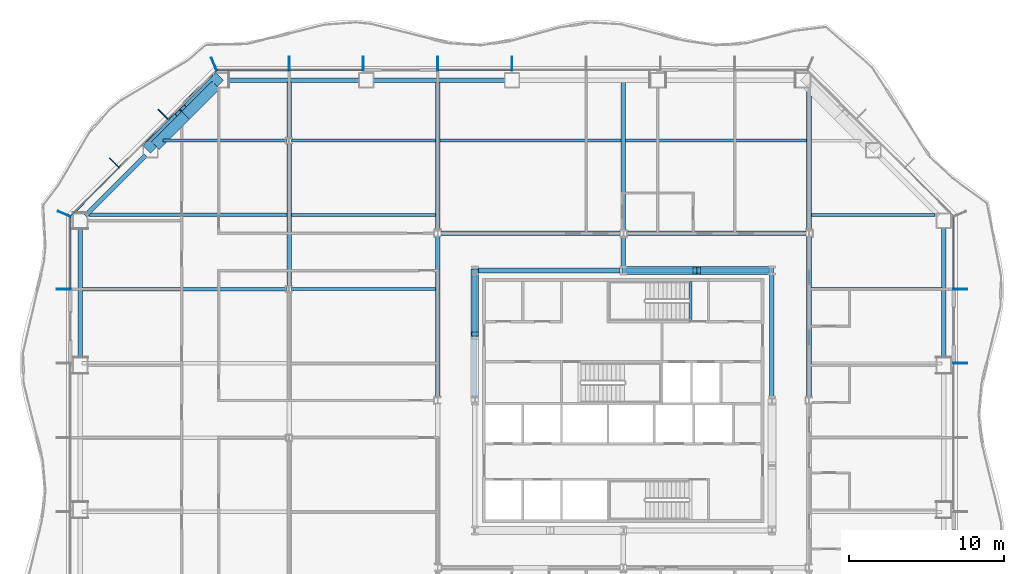
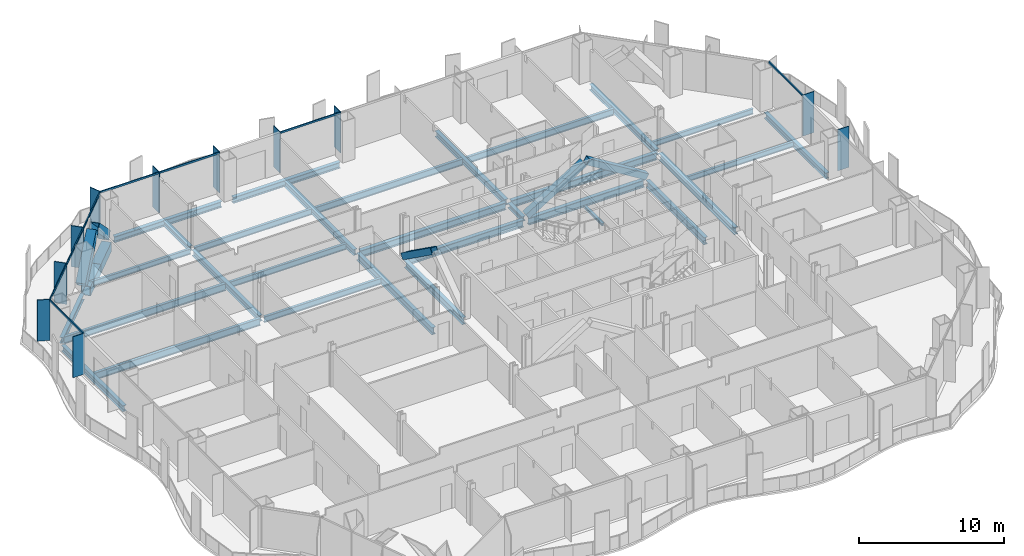
# One storey, part 3 of 21: 32 beams, 24 members, 4 elements without a shape of their own.
"""IFC4 building model written with IfcOpenShell, lengths in metres."""

import ifcopenshell
import ifcopenshell.guid

model = None  # the IFC model being written
_history = None  # IfcOwnerHistory: only IFC2X3 demands one
_inside = {}  # id of a spatial element -> (the spatial element, [elements in it])
_under = {}  # id of a project, library or spatial element -> (it, [spatial elements below it])
_declared = {}  # id of a project -> (the project, [libraries it declares])
_typed = {}  # id of a type object -> (the type object, [elements of that type])
_made_of = {}  # id of a material, layer set ... -> (it, [elements and type objects made of it])


def new_model(schema):
    """Start an empty IFC model of exactly this schema.

    Asked for "IFC4X3", IfcOpenShell would pick the latest addendum, in which some entities
    have other attributes; the version numbers below select the first issue.
    IFC2X3 requires an IfcOwnerHistory on every rooted entity: one is made here for all.
    """
    global model, _history
    if schema == "IFC4X3":
        model = ifcopenshell.file(schema_version=(4, 3, 0, 0))
    else:
        model = ifcopenshell.file(schema=schema)
    _inside.clear()
    _under.clear()
    _declared.clear()
    _typed.clear()
    _made_of.clear()
    _history = None
    if model.schema == "IFC2X3":
        org = make("IfcOrganization", Name="unknown")
        user = make(
            "IfcPersonAndOrganization",
            ThePerson=make("IfcPerson", FamilyName="unknown"),
            TheOrganization=org,
        )
        app = make(
            "IfcApplication",
            ApplicationDeveloper=org,
            Version="unknown",
            ApplicationFullName="unknown",
            ApplicationIdentifier="unknown",
        )
        _history = make(
            "IfcOwnerHistory",
            OwningUser=user,
            OwningApplication=app,
            ChangeAction="ADDED",
            CreationDate=0,
        )
    return model


def make(cls, **values):
    """One entity of the class cls with the attributes given. An attribute that is None is left unset."""
    return model.create_entity(
        cls, **{name: value for name, value in values.items() if value is not None}
    )


def rooted(cls, **values):
    """An entity with a GlobalId (a new one), such as an element, a storey or a relation."""
    return make(cls, GlobalId=ifcopenshell.guid.new(), OwnerHistory=_history, **values)


def si_unit(unit_type, name, prefix=None):
    """IfcSIUnit, for example si_unit("LENGTHUNIT", "METRE", prefix="MILLI")."""
    return make("IfcSIUnit", UnitType=unit_type, Prefix=prefix, Name=name)


def assignment(units):
    """IfcUnitAssignment: the units of a project."""
    return None if units is None else make("IfcUnitAssignment", Units=units)


def point(xyz):
    """IfcCartesianPoint."""
    return None if xyz is None else make("IfcCartesianPoint", Coordinates=xyz)


def direction(xyz):
    """IfcDirection."""
    return None if xyz is None else make("IfcDirection", DirectionRatios=xyz)


def frame(location, z_axis=None, x_axis=None):
    """IfcAxis2Placement3D, a coordinate frame: its origin and axes. An axis left out is left unset."""
    return make(
        "IfcAxis2Placement3D",
        Location=point(location),
        Axis=direction(z_axis),
        RefDirection=direction(x_axis),
    )


def frame_2d(location, x_axis=None):
    """IfcAxis2Placement2D, a coordinate frame in the plane: its origin and x axis."""
    return make(
        "IfcAxis2Placement2D", Location=point(location), RefDirection=direction(x_axis)
    )


def origin():
    """The frame at (0, 0, 0) with its axes left unset."""
    return frame((0.0, 0.0, 0.0))


def origin_2d():
    """The frame at (0, 0) in the plane with its x axis left unset."""
    return frame_2d((0.0, 0.0))


def place(relative_to, where):
    """IfcLocalPlacement: puts the frame where relative to a parent placement (None: the world)."""
    return make(
        "IfcLocalPlacement", PlacementRelTo=relative_to, RelativePlacement=where
    )


def context(
    kind, dimensions, precision=None, world=None, true_north=None, identifier=None
):
    """IfcGeometricRepresentationContext, for example the 3D "Model" context."""
    return make(
        "IfcGeometricRepresentationContext",
        ContextIdentifier=identifier,
        ContextType=kind,
        CoordinateSpaceDimension=dimensions,
        Precision=precision,
        WorldCoordinateSystem=world,
        TrueNorth=true_north,
    )


def subcontext(parent, identifier, kind, view, scale=None):
    """IfcGeometricRepresentationSubContext, for example "Body" below "Model"."""
    return make(
        "IfcGeometricRepresentationSubContext",
        ContextIdentifier=identifier,
        ContextType=kind,
        ParentContext=parent,
        TargetScale=scale,
        TargetView=view,
    )


def project(units=None, contexts=None):
    """IfcProject with its units and contexts."""
    return rooted(
        "IfcProject",
        Name="project",
        RepresentationContexts=contexts,
        UnitsInContext=assignment(units),
    )


def spatial(cls, under=None, at=None, **own):
    """A site, building, storey or space (cls), placed at a placement, below another one or the project."""
    s = rooted(cls, ObjectPlacement=at, **own)
    if under is not None:
        _under.setdefault(under.id(), (under, []))[1].append(s)
    return s


def profile(cls, at=None, kind="AREA", **sizes):
    """A parametric profile (cls). Its sizes go by their IFC names, for example OverallWidth=200.0."""
    return make(cls, ProfileType=kind, Position=at, **sizes)


def rectangle(**sizes):
    """IfcRectangleProfileDef."""
    return profile("IfcRectangleProfileDef", **sizes)


def hollow_rectangle(**sizes):
    """IfcRectangleHollowProfileDef."""
    return profile("IfcRectangleHollowProfileDef", **sizes)


def i_section(**sizes):
    """IfcIShapeProfileDef."""
    return profile("IfcIShapeProfileDef", **sizes)


def extrude(swept, where, along, depth):
    """IfcExtrudedAreaSolid: the profile swept, set in the frame where, extruded along a direction by depth."""
    return make(
        "IfcExtrudedAreaSolid",
        SweptArea=swept,
        Position=where,
        ExtrudedDirection=direction(along),
        Depth=depth,
    )


def shape(context_of_items, identifier, shape_type, items):
    """IfcShapeRepresentation: the items that make up one representation, for example the "Body"."""
    return make(
        "IfcShapeRepresentation",
        ContextOfItems=context_of_items,
        RepresentationIdentifier=identifier,
        RepresentationType=shape_type,
        Items=items,
    )


def material(Name=None, Category=None):
    """IfcMaterial."""
    return make("IfcMaterial", Name=Name, Category=Category)


def material_profile(
    of_material, cross_section, Name=None, Category=None, Priority=None
):
    """IfcMaterialProfile: a cross section and its material."""
    return make(
        "IfcMaterialProfile",
        Name=Name,
        Material=of_material,
        Profile=cross_section,
        Priority=Priority,
        Category=Category,
    )


def profile_set(profiles, Name=None, composite=None):
    """IfcMaterialProfileSet."""
    return make(
        "IfcMaterialProfileSet",
        Name=Name,
        MaterialProfiles=profiles,
        CompositeProfile=composite,
    )


def made_of(thing, what):
    """Note that an element or type object is made of a material, layer set ...; save() writes the relation."""
    if what is not None:
        _made_of.setdefault(what.id(), (what, []))[1].append(thing)
    return thing


def type_object(cls, material=None, **own):
    """A type object (cls), such as IfcWallType, which elements share."""
    return made_of(rooted(cls, **own), material)


def element(
    cls,
    number,
    at=None,
    inside=None,
    cuts=None,
    type_object=None,
    material=None,
    context=None,
    identifier="Body",
    shape_type=None,
    held_by="IfcProductDefinitionShape",
    body=None,
    shapes=None,
    **own,
):
    """One element of the class cls, such as IfcWall. Its Tag is "e" and its number.

    at: its placement. inside: the storey or other place that contains it. cuts: it is an
    opening in that element (IfcRelVoidsElement). A single representation is given by context,
    identifier, shape_type and body (its items); several are given by shapes. held_by: the class
    of the entity that holds the representations. save() writes the other relations.
    """
    e = rooted(cls, Tag="e%d" % number, ObjectPlacement=at, **own)
    if body is not None:
        shapes = [shape(context, identifier, shape_type, body)]
    if shapes is not None:
        e.Representation = make(held_by, Representations=shapes)
    if inside is not None:
        _inside.setdefault(inside.id(), (inside, []))[1].append(e)
    if cuts is not None:
        rooted(
            "IfcRelVoidsElement", RelatingBuildingElement=cuts, RelatedOpeningElement=e
        )
    if type_object is not None:
        _typed.setdefault(type_object.id(), (type_object, []))[1].append(e)
    return made_of(e, material)


def aggregate(whole, parts):
    """IfcRelAggregates: a whole, such as a stair, and the parts it consists of."""
    return rooted("IfcRelAggregates", RelatingObject=whole, RelatedObjects=parts)


def save(model, path):
    """Write the relations noted so far, then the file.

    IfcRelAggregates (storeys below a building ...), IfcRelContainedInSpatialStructure (elements
    in a storey), IfcRelDefinesByType, IfcRelAssociatesMaterial and IfcRelDeclares: one each for
    every whole, place, type object, material and project.
    """
    for whole, parts in _under.values():
        aggregate(whole, parts)
    for where, things in _inside.values():
        rooted(
            "IfcRelContainedInSpatialStructure",
            RelatedElements=things,
            RelatingStructure=where,
        )
    for kind, things in _typed.values():
        rooted("IfcRelDefinesByType", RelatedObjects=things, RelatingType=kind)
    for what, things in _made_of.values():
        rooted("IfcRelAssociatesMaterial", RelatedObjects=things, RelatingMaterial=what)
    for by, libraries in _declared.values():
        rooted("IfcRelDeclares", RelatingContext=by, RelatedDefinitions=libraries)
    model.write(path)


model = new_model("IFC4")

# Units and contexts
model_context = context("Model", 3, precision=1e-05, world=origin(), true_north=direction((0.0, 1.0)))
body_context = subcontext(model_context, "Body", "Model", "MODEL_VIEW")
ifc_project = project(units=[si_unit("LENGTHUNIT", "METRE"), si_unit("AREAUNIT", "SQUARE_METRE"), si_unit("VOLUMEUNIT", "CUBIC_METRE"), si_unit("PLANEANGLEUNIT", "RADIAN"), si_unit("MASSUNIT", "GRAM", prefix="KILO")], contexts=[model_context])

# Site, building, storey
site_placement = place(None, origin())
site = spatial("IfcSite", under=ifc_project, at=site_placement, CompositionType="ELEMENT")
building_placement = place(site_placement, origin())
building = spatial("IfcBuilding", under=site, at=building_placement, Name="Cairn Pilgrim Tower", CompositionType="ELEMENT")
storey_placement = place(building_placement, frame((0.0, 0.0, 58.199951171875)))
storey = spatial("IfcBuildingStorey", under=building, at=storey_placement, Name="L12", CompositionType="ELEMENT", Elevation=58.199951171875)

# Members
ifc_material_1 = material(Name="Structural steel S460M", Category="steel")
ifc_material_profile_1 = material_profile(ifc_material_1, hollow_rectangle(XDim=0.5, YDim=0.5, WallThickness=0.030029296875, at=origin_2d()), Name="BOX 500x500x30")
ifc_profile_set_1 = profile_set([ifc_material_profile_1], Name="Structural steel S460M")
member_type_1 = type_object("IfcMemberType", Name="BOX 500x500x30 BRACE", PredefinedType="BRACE", material=ifc_profile_set_1)
member_1_placement = place(storey_placement, frame((16.754638671875, 10.800048828125, 0.10009765625), z_axis=(-0.850917090612, 0.0, 0.525300014187), x_axis=(0.0, -1.0, 0.0)))
element("IfcMember", 1, at=member_1_placement, inside=storey, type_object=member_type_1, Name="KB-3A", PredefinedType="BRACE", context=body_context, shape_type="SweptSolid", body=[
    extrude(hollow_rectangle(XDim=0.5, YDim=0.5, WallThickness=0.030029296875, at=origin_2d()), origin(), (0.0, 0.0, 1.0), 5.525146484375),
])
member_2_placement = place(storey_placement, frame((7.245361328125, 10.800048828125, 0.10009765625), z_axis=(0.850919818074, 0.0, 0.52529559603), x_axis=(0.0, 1.0, 0.0)))
element("IfcMember", 2, at=member_2_placement, inside=storey, type_object=member_type_1, Name="KB-3B", PredefinedType="BRACE", context=body_context, shape_type="SweptSolid", body=[
    extrude(hollow_rectangle(XDim=0.5, YDim=0.5, WallThickness=0.030029296875, at=origin_2d()), origin(), (0.0, 0.0, 1.0), 5.375),
])
member_3_placement = place(storey_placement, frame((-2.39990234375, 10.754638671875, 0.10009765625), z_axis=(0.0, -0.814083383497, 0.580748004486), x_axis=(1.0, 0.0, 0.0)))
element("IfcMember", 3, at=member_3_placement, inside=storey, type_object=member_type_1, Name="KB-4A", PredefinedType="BRACE", context=body_context, shape_type="SweptSolid", body=[
    extrude(hollow_rectangle(XDim=0.5, YDim=0.5, WallThickness=0.030029296875, at=origin_2d()), origin(), (0.0, 0.0, 1.0), 4.9951171875),
])
ifc_material_profile_2 = material_profile(ifc_material_1, hollow_rectangle(XDim=0.699951171875, YDim=0.699951171875, WallThickness=0.0400390625, at=origin_2d()), Name="BOX 700x700x40")
ifc_profile_set_2 = profile_set([ifc_material_profile_2], Name="Structural steel S460M")
member_type_2 = type_object("IfcMemberType", Name="BOX 700x700x40 BRACE", PredefinedType="BRACE", material=ifc_profile_set_2)
member_4_placement = place(storey_placement, frame((-19.0498046875, 23.181396484375, 0.150146484375), z_axis=(-0.528118110354, -0.528118110354, 0.664968061663), x_axis=(0.707106781187, -0.707106781187, 0.0)))
element("IfcMember", 4, at=member_4_placement, inside=storey, type_object=member_type_2, Name="XB-NW1-NW2-1", PredefinedType="BRACE", context=body_context, shape_type="SweptSolid", body=[
    extrude(hollow_rectangle(XDim=0.699951171875, YDim=0.699951171875, WallThickness=0.0400390625, at=origin_2d()), origin(), (0.0, 0.0, 1.0), 3.89990234375),
])
member_5_placement = place(storey_placement, frame((-23.44482421875, 18.786376953125, 0.150146484375), z_axis=(0.528090425698, 0.528090425698, 0.665012033404), x_axis=(-0.707106781187, 0.707106781187, 0.0)))
element("IfcMember", 5, at=member_5_placement, inside=storey, type_object=member_type_2, Name="XB-NW1-NW2-2", PredefinedType="BRACE", context=body_context, shape_type="SweptSolid", body=[
    extrude(hollow_rectangle(XDim=0.699951171875, YDim=0.699951171875, WallThickness=0.0400390625, at=origin_2d()), origin(), (0.0, 0.0, 1.0), 3.899658203125),
])

# Beams
ifc_material_2 = material(Name="Structural steel S355J2", Category="steel")
ifc_material_profile_3 = material_profile(ifc_material_2, hollow_rectangle(XDim=0.699951171875, YDim=0.800048828125, WallThickness=0.0400390625, at=origin_2d()), Name="BOX 700x800x40")
ifc_profile_set_3 = profile_set([ifc_material_profile_3], Name="Structural steel S355J2")
beam_type_1 = type_object("IfcBeamType", Name="BOX 700x800x40 RING GIRDER", PredefinedType="SPANDREL", material=ifc_profile_set_3)
for number, where, z_axis, x_axis, name in (
    (6, (-19.1455078125, 22.78173828125, -0.550048828125), (-0.707106781187, -0.707106781187, 0.0), (0.707106781187, -0.707106781187, 0.0), "RG1-NW1-NW2-1"),
    (7, (-21.095458984375, 20.831787109375, -0.550048828125), (-0.707106781187, -0.707106781187, 0.0), (0.707106781187, -0.707106781187, 0.0), "RG1-NW1-NW2-2"),
):
    element("IfcBeam", number, at=place(storey_placement, frame(where, z_axis=z_axis, x_axis=x_axis)), inside=storey, type_object=beam_type_1, Name=name, PredefinedType="SPANDREL", context=body_context, shape_type="SweptSolid", body=[
        extrude(hollow_rectangle(XDim=0.699951171875, YDim=0.800048828125, WallThickness=0.0400390625, at=origin_2d()), origin(), (0.0, 0.0, 1.0), 2.757568359375),
    ])

# Curtain wall, members
ifc_material_3 = material(Name="Aluminium alloy 6063-T6 bronze anodised with Bronze tinted laminated low-E glass 8+16+8.8", Category="aluminium")
curtain_wall_type_1 = type_object("IfcCurtainWallType", Name="TOWER STICK CURTAIN WALL EW", PredefinedType="NOTDEFINED", material=ifc_material_3)
curtain_wall_1_placement = place(storey_placement, origin())
curtain_wall_1 = element("IfcCurtainWall", 8, at=curtain_wall_1_placement, inside=storey, type_object=curtain_wall_type_1, Name="Tower Stick Curtain Wall Ew E", PredefinedType="NOTDEFINED")
ifc_material_4 = material(Name="Aluminium alloy 6063-T6 bronze anodised", Category="aluminium")
ifc_material_profile_4 = material_profile(ifc_material_4, rectangle(XDim=0.89990234375, YDim=0.06005859375, at=origin_2d()), Name="FIN MULLION 60x900 BRONZE")
ifc_profile_set_4 = profile_set([ifc_material_profile_4], Name="Aluminium alloy 6063-T6 bronze anodised")
member_type_3 = type_object("IfcMemberType", Name="FIN MULLION 60x900 BRONZE", PredefinedType="MULLION", material=ifc_profile_set_4)
member_6_placement = place(storey_placement, frame((28.969970703125, 4.800048828125, 0.0), z_axis=(0.0, 0.0, 1.0), x_axis=(1.0, 0.0, 0.0)))
member_6 = element("IfcMember", 9, at=member_6_placement, type_object=member_type_3, Name="Fin mullion E5", PredefinedType="MULLION", context=body_context, shape_type="SweptSolid", body=[
    extrude(rectangle(XDim=0.89990234375, YDim=0.06005859375, at=origin_2d()), origin(), (0.0, 0.0, 1.0), 3.449951171875),
])
member_7_placement = place(storey_placement, frame((28.969970703125, 9.60009765625, 0.0), z_axis=(0.0, 0.0, 1.0), x_axis=(1.0, 0.0, 0.0)))
member_7 = element("IfcMember", 10, at=member_7_placement, type_object=member_type_3, Name="Fin mullion E6", PredefinedType="MULLION", context=body_context, shape_type="SweptSolid", body=[
    extrude(rectangle(XDim=0.89990234375, YDim=0.06005859375, at=origin_2d()), origin(), (0.0, 0.0, 1.0), 3.449951171875),
])

curtain_wall_type_2 = type_object("IfcCurtainWallType", Name="TOWER STICK CURTAIN WALL NS", PredefinedType="NOTDEFINED", material=ifc_material_3)
curtain_wall_2_placement = place(storey_placement, origin())
curtain_wall_2 = element("IfcCurtainWall", 11, at=curtain_wall_2_placement, inside=storey, type_object=curtain_wall_type_2, Name="Tower Stick Curtain Wall Ns N", PredefinedType="NOTDEFINED")
member_8_placement = place(storey_placement, frame((0.0, 24.169921875, 0.0), z_axis=(0.0, 0.0, 1.0), x_axis=(0.0, 1.0, 0.0)))
member_8 = element("IfcMember", 12, at=member_8_placement, type_object=member_type_3, Name="Fin mullion N5", PredefinedType="MULLION", context=body_context, shape_type="SweptSolid", body=[
    extrude(rectangle(XDim=0.89990234375, YDim=0.06005859375, at=origin_2d()), origin(), (0.0, 0.0, 1.0), 3.449951171875),
])
member_9_placement = place(storey_placement, frame((-4.800048828125, 24.169921875, 0.0), z_axis=(0.0, 0.0, 1.0), x_axis=(0.0, 1.0, 0.0)))
member_9 = element("IfcMember", 13, at=member_9_placement, type_object=member_type_3, Name="Fin mullion N6", PredefinedType="MULLION", context=body_context, shape_type="SweptSolid", body=[
    extrude(rectangle(XDim=0.89990234375, YDim=0.06005859375, at=origin_2d()), origin(), (0.0, 0.0, 1.0), 3.449951171875),
])
member_10_placement = place(storey_placement, frame((-9.60009765625, 24.169921875, 0.0), z_axis=(0.0, 0.0, 1.0), x_axis=(0.0, 1.0, 0.0)))
member_10 = element("IfcMember", 14, at=member_10_placement, type_object=member_type_3, Name="Fin mullion N7", PredefinedType="MULLION", context=body_context, shape_type="SweptSolid", body=[
    extrude(rectangle(XDim=0.89990234375, YDim=0.06005859375, at=origin_2d()), origin(), (0.0, 0.0, 1.0), 3.449951171875),
])
member_11_placement = place(storey_placement, frame((-14.39990234375, 24.169921875, 0.0), z_axis=(0.0, 0.0, 1.0), x_axis=(0.0, 1.0, 0.0)))
member_11 = element("IfcMember", 15, at=member_11_placement, type_object=member_type_3, Name="Fin mullion N8", PredefinedType="MULLION", context=body_context, shape_type="SweptSolid", body=[
    extrude(rectangle(XDim=0.89990234375, YDim=0.06005859375, at=origin_2d()), origin(), (0.0, 0.0, 1.0), 3.449951171875),
])

curtain_wall_type_3 = type_object("IfcCurtainWallType", Name="CHAMFER CORNER CURTAIN WALL", PredefinedType="NOTDEFINED", material=ifc_material_3)
curtain_wall_3_placement = place(storey_placement, origin())
curtain_wall_3 = element("IfcCurtainWall", 16, at=curtain_wall_3_placement, inside=storey, type_object=curtain_wall_type_3, Name="Chamfer Corner Curtain Wall NW", PredefinedType="NOTDEFINED")
member_12_placement = place(storey_placement, frame((-19.257080078125, 24.137939453125, 0.0), z_axis=(0.0, 0.0, 1.0), x_axis=(-0.382683432365, 0.923879532511, 0.0)))
member_12 = element("IfcMember", 17, at=member_12_placement, type_object=member_type_3, Name="Fin mullion NW1", PredefinedType="MULLION", context=body_context, shape_type="SweptSolid", body=[
    extrude(rectangle(XDim=0.89990234375, YDim=0.06005859375, at=origin_2d()), origin(), (0.0, 0.0, 1.0), 3.449951171875),
])
member_13_placement = place(storey_placement, frame((-22.544677734375, 20.895751953125, 0.0), z_axis=(0.0, 0.0, 1.0), x_axis=(-0.707106781187, 0.707106781187, 0.0)))
member_13 = element("IfcMember", 18, at=member_13_placement, type_object=member_type_3, Name="Fin mullion NW2", PredefinedType="MULLION", context=body_context, shape_type="SweptSolid", body=[
    extrude(rectangle(XDim=0.89990234375, YDim=0.06005859375, at=origin_2d()), origin(), (0.0, 0.0, 1.0), 3.449951171875),
])
member_14_placement = place(storey_placement, frame((-25.69580078125, 17.74462890625, 0.0), z_axis=(0.0, 0.0, 1.0), x_axis=(-0.707106781187, 0.707106781187, 0.0)))
member_14 = element("IfcMember", 19, at=member_14_placement, type_object=member_type_3, Name="Fin mullion NW3", PredefinedType="MULLION", context=body_context, shape_type="SweptSolid", body=[
    extrude(rectangle(XDim=0.89990234375, YDim=0.06005859375, at=origin_2d()), origin(), (0.0, 0.0, 1.0), 3.449951171875),
])

curtain_wall_4_placement = place(storey_placement, origin())
curtain_wall_4 = element("IfcCurtainWall", 20, at=curtain_wall_4_placement, inside=storey, type_object=curtain_wall_type_1, Name="Tower Stick Curtain Wall Ew W", PredefinedType="NOTDEFINED")
member_15_placement = place(storey_placement, frame((-28.93798828125, 14.457275390625, 0.0), z_axis=(0.0, 0.0, 1.0), x_axis=(-0.923879532511, 0.382683432365, 0.0)))
member_15 = element("IfcMember", 21, at=member_15_placement, type_object=member_type_3, Name="Fin mullion W1", PredefinedType="MULLION", context=body_context, shape_type="SweptSolid", body=[
    extrude(rectangle(XDim=0.89990234375, YDim=0.06005859375, at=origin_2d()), origin(), (0.0, 0.0, 1.0), 3.449951171875),
])
member_16_placement = place(storey_placement, frame((-28.969970703125, 9.60009765625, 0.0), z_axis=(0.0, 0.0, 1.0), x_axis=(-1.0, 0.0, 0.0)))
member_16 = element("IfcMember", 22, at=member_16_placement, type_object=member_type_3, Name="Fin mullion W2", PredefinedType="MULLION", context=body_context, shape_type="SweptSolid", body=[
    extrude(rectangle(XDim=0.89990234375, YDim=0.06005859375, at=origin_2d()), origin(), (0.0, 0.0, 1.0), 3.449951171875),
])

# Beams
ifc_material_profile_5 = material_profile(ifc_material_2, i_section(OverallWidth=0.300048828125, OverallDepth=0.39990234375, WebThickness=0.013427734375, FlangeThickness=0.02392578125, FilletRadius=0.027099609375, at=origin_2d()), Name="HEB 400")
ifc_profile_set_5 = profile_set([ifc_material_profile_5], Name="Structural steel S355J2")
beam_type_2 = type_object("IfcBeamType", Name="HEB 400 GIRDER", PredefinedType="BEAM", material=ifc_profile_set_5)
beam_1_placement = place(storey_placement, frame((-14.39990234375, 19.404541015625, -0.349853515625), z_axis=(0.0, 1.0, 0.0), x_axis=(-1.0, 0.0, 0.0)))
element("IfcBeam", 23, at=beam_1_placement, inside=storey, type_object=beam_type_2, Name="PG1-6", PredefinedType="BEAM", context=body_context, shape_type="SweptSolid", body=[
    extrude(i_section(OverallWidth=0.300048828125, OverallDepth=0.39990234375, WebThickness=0.013427734375, FlangeThickness=0.02392578125, FilletRadius=0.027099609375, at=origin_2d()), origin(), (0.0, 0.0, 1.0), 3.575439453125),
])
beam_2_placement = place(storey_placement, frame((7.199951171875, 11.027099609375, -0.349853515625), z_axis=(0.0, 1.0, 0.0), x_axis=(-1.0, 0.0, 0.0)))
element("IfcBeam", 24, at=beam_2_placement, inside=storey, type_object=beam_type_2, Name="PG3-E2", PredefinedType="BEAM", context=body_context, shape_type="SweptSolid", body=[
    extrude(i_section(OverallWidth=0.300048828125, OverallDepth=0.39990234375, WebThickness=0.013427734375, FlangeThickness=0.02392578125, FilletRadius=0.027099609375, at=origin_2d()), origin(), (0.0, 0.0, 1.0), 1.9609375),
])
ifc_material_profile_6 = material_profile(ifc_material_2, i_section(OverallWidth=0.300048828125, OverallDepth=0.5, WebThickness=0.014404296875, FlangeThickness=0.028076171875, FilletRadius=0.027099609375, at=origin_2d()), Name="HEB 500")
ifc_profile_set_6 = profile_set([ifc_material_profile_6], Name="Structural steel S355J2")
beam_type_3 = type_object("IfcBeamType", Name="HEB 500 GIRDER", PredefinedType="BEAM", material=ifc_profile_set_6)
beam_3_placement = place(storey_placement, frame((-14.39990234375, 9.804443359375, -0.39990234375), z_axis=(0.0, 1.0, 0.0), x_axis=(-1.0, 0.0, 0.0)))
element("IfcBeam", 25, at=beam_3_placement, inside=storey, type_object=beam_type_3, Name="PG1-5", PredefinedType="BEAM", context=body_context, shape_type="SweptSolid", body=[
    extrude(i_section(OverallWidth=0.300048828125, OverallDepth=0.5, WebThickness=0.014404296875, FlangeThickness=0.028076171875, FilletRadius=0.027099609375, at=origin_2d()), origin(), (0.0, 0.0, 1.0), 9.191162109375),
])
for number, where, z_axis, x_axis, name in (
    (26, (-4.800048828125, 13.412109375, -0.39990234375), (0.0, 1.0, 0.0), (-1.0, 0.0, 0.0), "PG2-4"),
    (27, (7.199951171875, 13.412109375, -0.39990234375), (0.0, 1.0, 0.0), (-1.0, 0.0, 0.0), "PG3-2"),
):
    element("IfcBeam", number, at=place(storey_placement, frame(where, z_axis=z_axis, x_axis=x_axis)), inside=storey, type_object=beam_type_3, Name=name, PredefinedType="BEAM", context=body_context, shape_type="SweptSolid", body=[
        extrude(i_section(OverallWidth=0.300048828125, OverallDepth=0.5, WebThickness=0.014404296875, FlangeThickness=0.028076171875, FilletRadius=0.027099609375, at=origin_2d()), origin(), (0.0, 0.0, 1.0), 9.56787109375),
    ])
beam_4_placement = place(storey_placement, frame((19.199951171875, 13.412109375, -0.39990234375), z_axis=(0.0, 1.0, 0.0), x_axis=(-1.0, 0.0, 0.0)))
element("IfcBeam", 28, at=beam_4_placement, inside=storey, type_object=beam_type_3, Name="PG4-4", PredefinedType="BEAM", context=body_context, shape_type="SweptSolid", body=[
    extrude(i_section(OverallWidth=0.300048828125, OverallDepth=0.5, WebThickness=0.014404296875, FlangeThickness=0.028076171875, FilletRadius=0.027099609375, at=origin_2d()), origin(), (0.0, 0.0, 1.0), 9.133056640625),
])
ifc_material_profile_7 = material_profile(ifc_material_2, i_section(OverallWidth=0.300048828125, OverallDepth=0.5, WebThickness=0.014404296875, FlangeThickness=0.028076171875, FilletRadius=0.027099609375, at=origin_2d()), Name="HEB 500")
ifc_profile_set_7 = profile_set([ifc_material_profile_7], Name="Structural steel S355J2")
beam_type_4 = type_object("IfcBeamType", Name="HEB 500 RING GIRDER", PredefinedType="SPANDREL", material=ifc_profile_set_7)
beam_5_placement = place(storey_placement, frame((27.89990234375, 5.125732421875, -0.39990234375), z_axis=(0.0, 1.0, 0.0), x_axis=(-1.0, 0.0, 0.0)))
element("IfcBeam", 29, at=beam_5_placement, inside=storey, type_object=beam_type_4, Name="RG1-E3-NE1", PredefinedType="SPANDREL", context=body_context, shape_type="SweptSolid", body=[
    extrude(i_section(OverallWidth=0.300048828125, OverallDepth=0.5, WebThickness=0.014404296875, FlangeThickness=0.028076171875, FilletRadius=0.027099609375, at=origin_2d()), origin(), (0.0, 0.0, 1.0), 8.451416015625),
])
for number, where, z_axis, x_axis, name in (
    (30, (-0.449951171875, 23.10009765625, -0.39990234375), (-1.0, 0.0, 0.0), (0.0, -1.0, 0.0), "RG1-N3-N4"),
    (31, (-9.863525390625, 23.10009765625, -0.39990234375), (-1.0, 0.0, 0.0), (0.0, -1.0, 0.0), "RG1-N4-NW1"),
):
    element("IfcBeam", number, at=place(storey_placement, frame(where, z_axis=z_axis, x_axis=x_axis)), inside=storey, type_object=beam_type_4, Name=name, PredefinedType="SPANDREL", context=body_context, shape_type="SweptSolid", body=[
        extrude(i_section(OverallWidth=0.300048828125, OverallDepth=0.5, WebThickness=0.014404296875, FlangeThickness=0.028076171875, FilletRadius=0.027099609375, at=origin_2d()), origin(), (0.0, 0.0, 1.0), 8.513671875),
    ])
beam_6_placement = place(storey_placement, frame((-23.681884765625, 18.245361328125, -0.39990234375), z_axis=(-0.707106781187, -0.707106781187, 0.0), x_axis=(0.707106781187, -0.707106781187, 0.0)))
element("IfcBeam", 32, at=beam_6_placement, inside=storey, type_object=beam_type_4, Name="RG1-NW2-W1", PredefinedType="SPANDREL", context=body_context, shape_type="SweptSolid", body=[
    extrude(i_section(OverallWidth=0.300048828125, OverallDepth=0.5, WebThickness=0.014404296875, FlangeThickness=0.028076171875, FilletRadius=0.027099609375, at=origin_2d()), origin(), (0.0, 0.0, 1.0), 5.515380859375),
])
beam_7_placement = place(storey_placement, frame((-27.89990234375, 13.5771484375, -0.39990234375), z_axis=(0.0, -1.0, 0.0), x_axis=(1.0, 0.0, 0.0)))
element("IfcBeam", 33, at=beam_7_placement, inside=storey, type_object=beam_type_4, Name="RG1-W1-W2", PredefinedType="SPANDREL", context=body_context, shape_type="SweptSolid", body=[
    extrude(i_section(OverallWidth=0.300048828125, OverallDepth=0.5, WebThickness=0.014404296875, FlangeThickness=0.028076171875, FilletRadius=0.027099609375, at=origin_2d()), origin(), (0.0, 0.0, 1.0), 8.451416015625),
])
ifc_material_profile_8 = material_profile(ifc_material_2, i_section(OverallWidth=0.300048828125, OverallDepth=0.60009765625, WebThickness=0.015380859375, FlangeThickness=0.030029296875, FilletRadius=0.027099609375, at=origin_2d()), Name="HEB 600")
ifc_profile_set_8 = profile_set([ifc_material_profile_8], Name="Structural steel S355J2")
beam_type_5 = type_object("IfcBeamType", Name="HEB 600 CORE BEAM", PredefinedType="BEAM", material=ifc_profile_set_8)
beam_8_placement = place(storey_placement, frame((16.800048828125, 2.604248046875, -0.449951171875), z_axis=(0.0, 1.0, 0.0), x_axis=(-1.0, 0.0, 0.0)))
element("IfcBeam", 34, at=beam_8_placement, inside=storey, type_object=beam_type_5, Name="CB-4", PredefinedType="BEAM", context=body_context, shape_type="SweptSolid", body=[
    extrude(i_section(OverallWidth=0.300048828125, OverallDepth=0.60009765625, WebThickness=0.015380859375, FlangeThickness=0.030029296875, FilletRadius=0.027099609375, at=origin_2d()), origin(), (0.0, 0.0, 1.0), 7.991455078125),
])
for number, where, z_axis, x_axis, name in (
    (35, (16.595703125, 10.800048828125, -0.449951171875), (-1.0, 0.0, 0.0), (0.0, -1.0, 0.0), "CB-5"),
    (36, (6.99560546875, 10.800048828125, -0.449951171875), (-1.0, 0.0, 0.0), (0.0, -1.0, 0.0), "CB-6"),
):
    element("IfcBeam", number, at=place(storey_placement, frame(where, z_axis=z_axis, x_axis=x_axis)), inside=storey, type_object=beam_type_5, Name=name, PredefinedType="BEAM", context=body_context, shape_type="SweptSolid", body=[
        extrude(i_section(OverallWidth=0.300048828125, OverallDepth=0.60009765625, WebThickness=0.015380859375, FlangeThickness=0.030029296875, FilletRadius=0.027099609375, at=origin_2d()), origin(), (0.0, 0.0, 1.0), 9.19140625),
    ])
beam_9_placement = place(storey_placement, frame((-2.39990234375, 10.595703125, -0.449951171875), z_axis=(0.0, -1.0, 0.0), x_axis=(1.0, 0.0, 0.0)))
element("IfcBeam", 37, at=beam_9_placement, inside=storey, type_object=beam_type_5, Name="CB-7", PredefinedType="BEAM", context=body_context, shape_type="SweptSolid", body=[
    extrude(i_section(OverallWidth=0.300048828125, OverallDepth=0.60009765625, WebThickness=0.015380859375, FlangeThickness=0.030029296875, FilletRadius=0.027099609375, at=origin_2d()), origin(), (0.0, 0.0, 1.0), 7.991455078125),
])
ifc_material_profile_9 = material_profile(ifc_material_2, i_section(OverallWidth=0.300048828125, OverallDepth=0.60009765625, WebThickness=0.015380859375, FlangeThickness=0.030029296875, FilletRadius=0.027099609375, at=origin_2d()), Name="HEB 600")
ifc_profile_set_9 = profile_set([ifc_material_profile_9], Name="Structural steel S355J2")
beam_type_6 = type_object("IfcBeamType", Name="HEB 600 GIRDER", PredefinedType="BEAM", material=ifc_profile_set_9)
for number, where, z_axis, x_axis, name in (
    (38, (-4.800048828125, 2.612060546875, -0.449951171875), (0.0, 1.0, 0.0), (-1.0, 0.0, 0.0), "PG2-3"),
    (39, (19.199951171875, 2.612060546875, -0.449951171875), (0.0, 1.0, 0.0), (-1.0, 0.0, 0.0), "PG4-3"),
):
    element("IfcBeam", number, at=place(storey_placement, frame(where, z_axis=z_axis, x_axis=x_axis)), inside=storey, type_object=beam_type_6, Name=name, PredefinedType="BEAM", context=body_context, shape_type="SweptSolid", body=[
        extrude(i_section(OverallWidth=0.300048828125, OverallDepth=0.60009765625, WebThickness=0.015380859375, FlangeThickness=0.030029296875, FilletRadius=0.027099609375, at=origin_2d()), origin(), (0.0, 0.0, 1.0), 10.3759765625),
    ])
ifc_material_profile_10 = material_profile(ifc_material_2, i_section(OverallWidth=0.300048828125, OverallDepth=0.60009765625, WebThickness=0.015380859375, FlangeThickness=0.030029296875, FilletRadius=0.027099609375, at=origin_2d()), Name="HEB 600")
ifc_profile_set_10 = profile_set([ifc_material_profile_10], Name="Structural steel S355J2")
beam_type_7 = type_object("IfcBeamType", Name="HEB 600 INNER GIRDER", PredefinedType="BEAM", material=ifc_profile_set_10)
for number, where, z_axis, x_axis, name in (
    (40, (-4.587890625, 13.199951171875, -0.449951171875), (1.0, 0.0, 0.0), (0.0, 1.0, 0.0), "IG2-1"),
    (41, (7.412109375, 13.199951171875, -0.449951171875), (1.0, 0.0, 0.0), (0.0, 1.0, 0.0), "IG2-2"),
):
    element("IfcBeam", number, at=place(storey_placement, frame(where, z_axis=z_axis, x_axis=x_axis)), inside=storey, type_object=beam_type_7, Name=name, PredefinedType="BEAM", context=body_context, shape_type="SweptSolid", body=[
        extrude(i_section(OverallWidth=0.300048828125, OverallDepth=0.60009765625, WebThickness=0.015380859375, FlangeThickness=0.030029296875, FilletRadius=0.027099609375, at=origin_2d()), origin(), (0.0, 0.0, 1.0), 11.575927734375),
    ])
ifc_material_profile_11 = material_profile(ifc_material_2, i_section(OverallWidth=0.18994140625, OverallDepth=0.449951171875, WebThickness=0.009521484375, FlangeThickness=0.0146484375, FilletRadius=0.02099609375, at=origin_2d()), Name="IPE 450")
ifc_profile_set_11 = profile_set([ifc_material_profile_11], Name="Structural steel S355J2")
beam_type_8 = type_object("IfcBeamType", Name="IPE 450 SECONDARY BEAM", PredefinedType="JOIST", material=ifc_profile_set_11)
beam_10_placement = place(storey_placement, frame((19.35009765625, 9.60009765625, -0.375), z_axis=(1.0, 0.0, 0.0), x_axis=(0.0, 1.0, 0.0)))
element("IfcBeam", 42, at=beam_10_placement, inside=storey, type_object=beam_type_8, Name="SB7-3", PredefinedType="JOIST", context=body_context, shape_type="SweptSolid", body=[
    extrude(i_section(OverallWidth=0.18994140625, OverallDepth=0.449951171875, WebThickness=0.009521484375, FlangeThickness=0.0146484375, FilletRadius=0.02099609375, at=origin_2d()), origin(), (0.0, 0.0, 1.0), 8.429931640625),
])
for number, where, z_axis, x_axis, name in (
    (43, (19.35009765625, 14.39990234375, -0.375), (1.0, 0.0, 0.0), (0.0, 1.0, 0.0), "SB8-3"),
    (44, (-22.545166015625, 19.199951171875, -0.375), (1.0, 0.0, 0.0), (0.0, 1.0, 0.0), "SB9-1"),
):
    element("IfcBeam", number, at=place(storey_placement, frame(where, z_axis=z_axis, x_axis=x_axis)), inside=storey, type_object=beam_type_8, Name=name, PredefinedType="JOIST", context=body_context, shape_type="SweptSolid", body=[
        extrude(i_section(OverallWidth=0.18994140625, OverallDepth=0.449951171875, WebThickness=0.009521484375, FlangeThickness=0.0146484375, FilletRadius=0.02099609375, at=origin_2d()), origin(), (0.0, 0.0, 1.0), 7.9951171875),
    ])
ifc_material_profile_12 = material_profile(ifc_material_2, i_section(OverallWidth=0.199951171875, OverallDepth=0.5, WebThickness=0.01025390625, FlangeThickness=0.01611328125, FilletRadius=0.02099609375, at=origin_2d()), Name="IPE 500")
ifc_profile_set_12 = profile_set([ifc_material_profile_12], Name="Structural steel S355J2")
beam_type_9 = type_object("IfcBeamType", Name="IPE 500 SECONDARY BEAM", PredefinedType="JOIST", material=ifc_profile_set_12)
for number, where, z_axis, x_axis, name in (
    (45, (-14.25, 9.60009765625, -0.39990234375), (1.0, 0.0, 0.0), (0.0, 1.0, 0.0), "SB7-2"),
    (46, (-14.25, 14.39990234375, -0.39990234375), (1.0, 0.0, 0.0), (0.0, 1.0, 0.0), "SB8-2"),
    (47, (-14.25, 19.199951171875, -0.39990234375), (1.0, 0.0, 0.0), (0.0, 1.0, 0.0), "SB9-2"),
):
    element("IfcBeam", number, at=place(storey_placement, frame(where, z_axis=z_axis, x_axis=x_axis)), inside=storey, type_object=beam_type_9, Name=name, PredefinedType="JOIST", context=body_context, shape_type="SweptSolid", body=[
        extrude(i_section(OverallWidth=0.199951171875, OverallDepth=0.5, WebThickness=0.01025390625, FlangeThickness=0.01611328125, FilletRadius=0.02099609375, at=origin_2d()), origin(), (0.0, 0.0, 1.0), 9.300048828125),
    ])
ifc_material_profile_13 = material_profile(ifc_material_2, i_section(OverallWidth=0.2099609375, OverallDepth=0.550048828125, WebThickness=0.010986328125, FlangeThickness=0.01708984375, FilletRadius=0.02392578125, at=origin_2d()), Name="IPE 550")
ifc_profile_set_13 = profile_set([ifc_material_profile_13], Name="Structural steel S355J2")
beam_type_10 = type_object("IfcBeamType", Name="IPE 550 SECONDARY BEAM", PredefinedType="JOIST", material=ifc_profile_set_13)
for number, where, z_axis, x_axis, name in (
    (48, (-4.64990234375, 19.199951171875, -0.425048828125), (1.0, 0.0, 0.0), (0.0, 1.0, 0.0), "SB9-3"),
    (49, (7.35009765625, 19.199951171875, -0.425048828125), (1.0, 0.0, 0.0), (0.0, 1.0, 0.0), "SB9-4"),
):
    element("IfcBeam", number, at=place(storey_placement, frame(where, z_axis=z_axis, x_axis=x_axis)), inside=storey, type_object=beam_type_10, Name=name, PredefinedType="JOIST", context=body_context, shape_type="SweptSolid", body=[
        extrude(i_section(OverallWidth=0.2099609375, OverallDepth=0.550048828125, WebThickness=0.010986328125, FlangeThickness=0.01708984375, FilletRadius=0.02392578125, at=origin_2d()), origin(), (0.0, 0.0, 1.0), 11.699951171875),
    ])
ifc_material_profile_14 = material_profile(ifc_material_2, i_section(OverallWidth=0.219970703125, OverallDepth=0.60009765625, WebThickness=0.011962890625, FlangeThickness=0.01904296875, FilletRadius=0.02392578125, at=origin_2d()), Name="IPE 600")
ifc_profile_set_14 = profile_set([ifc_material_profile_14], Name="Structural steel S355J2")
beam_type_11 = type_object("IfcBeamType", Name="IPE 600 SECONDARY BEAM", PredefinedType="JOIST", material=ifc_profile_set_14)
beam_11_placement = place(storey_placement, frame((-27.780029296875, 9.60009765625, -0.449951171875), z_axis=(1.0, 0.0, 0.0), x_axis=(0.0, 1.0, 0.0)))
element("IfcBeam", 50, at=beam_11_placement, inside=storey, type_object=beam_type_11, Name="SB7-1", PredefinedType="JOIST", context=body_context, shape_type="SweptSolid", body=[
    extrude(i_section(OverallWidth=0.219970703125, OverallDepth=0.60009765625, WebThickness=0.011962890625, FlangeThickness=0.01904296875, FilletRadius=0.02392578125, at=origin_2d()), origin(), (0.0, 0.0, 1.0), 13.22998046875),
])
beam_12_placement = place(storey_placement, frame((-27.34521484375, 14.39990234375, -0.449951171875), z_axis=(1.0, 0.0, 0.0), x_axis=(0.0, 1.0, 0.0)))
element("IfcBeam", 51, at=beam_12_placement, inside=storey, type_object=beam_type_11, Name="SB8-1", PredefinedType="JOIST", context=body_context, shape_type="SweptSolid", body=[
    extrude(i_section(OverallWidth=0.219970703125, OverallDepth=0.60009765625, WebThickness=0.011962890625, FlangeThickness=0.01904296875, FilletRadius=0.02392578125, at=origin_2d()), origin(), (0.0, 0.0, 1.0), 12.795166015625),
])
ifc_material_profile_15 = material_profile(ifc_material_2, i_section(OverallWidth=0.199951171875, OverallDepth=0.199951171875, WebThickness=0.009033203125, FlangeThickness=0.014892578125, FilletRadius=0.01806640625, at=origin_2d()), Name="HE 200 B")
ifc_profile_set_15 = profile_set([ifc_material_profile_15], Name="Structural steel S355J2")
beam_type_12 = type_object("IfcBeamType", Name="STAIR LANDING BEAM HE 200 B", PredefinedType="BEAM", material=ifc_profile_set_15)
beam_13_placement = place(storey_placement, frame((11.5244140625, 10.10009765625, -0.25), z_axis=(0.0, -1.0, 0.0), x_axis=(1.0, 0.0, 0.0)))
element("IfcBeam", 52, at=beam_13_placement, inside=storey, type_object=beam_type_12, Name="STAIR LANDING BEAM LD-HE200B", PredefinedType="BEAM", context=body_context, shape_type="SweptSolid", body=[
    extrude(i_section(OverallWidth=0.199951171875, OverallDepth=0.199951171875, WebThickness=0.009033203125, FlangeThickness=0.014892578125, FilletRadius=0.01806640625, at=origin_2d()), origin(), (0.0, 0.0, 1.0), 2.525146484375),
])

# Member
ifc_material_profile_16 = material_profile(ifc_material_4, rectangle(XDim=0.080078125, YDim=0.14990234375, at=origin_2d()), Name="TRANSOM 80x150 BRONZE")
ifc_profile_set_16 = profile_set([ifc_material_profile_16], Name="Aluminium alloy 6063-T6 bronze anodised")
member_type_4 = type_object("IfcMemberType", Name="TRANSOM 80x150 BRONZE", PredefinedType="USERDEFINED", material=ifc_profile_set_16)
member_17_placement = place(storey_placement, frame((28.550048828125, 9.6298828125, 3.375), z_axis=(0.0, 1.0, 0.0), x_axis=(-1.0, 0.0, 0.0)))
member_17 = element("IfcMember", 53, at=member_17_placement, type_object=member_type_4, Name="Transom E6", ObjectType="TRANSOM", PredefinedType="USERDEFINED", context=body_context, shape_type="SweptSolid", body=[
    extrude(rectangle(XDim=0.080078125, YDim=0.14990234375, at=origin_2d()), origin(), (0.0, 0.0, 1.0), 4.62646484375),
])

aggregate(curtain_wall_1, [member_6, member_7, member_17])

member_18_placement = place(storey_placement, frame((-0.030029296875, 23.75, 3.375), z_axis=(-1.0, 0.0, 0.0), x_axis=(0.0, -1.0, 0.0)))
member_18 = element("IfcMember", 54, at=member_18_placement, type_object=member_type_4, Name="Transom N5", ObjectType="TRANSOM", PredefinedType="USERDEFINED", context=body_context, shape_type="SweptSolid", body=[
    extrude(rectangle(XDim=0.080078125, YDim=0.14990234375, at=origin_2d()), origin(), (0.0, 0.0, 1.0), 4.739990234375),
])

member_19_placement = place(storey_placement, frame((-9.6298828125, 23.75, 3.375), z_axis=(-1.0, 0.0, 0.0), x_axis=(0.0, -1.0, 0.0)))
member_19 = element("IfcMember", 55, at=member_19_placement, type_object=member_type_4, Name="Transom N7", ObjectType="TRANSOM", PredefinedType="USERDEFINED", context=body_context, shape_type="SweptSolid", body=[
    extrude(rectangle(XDim=0.080078125, YDim=0.14990234375, at=origin_2d()), origin(), (0.0, 0.0, 1.0), 4.740234375),
])

member_20_placement = place(storey_placement, frame((-14.429931640625, 23.75, 3.375), z_axis=(-1.0, 0.0, 0.0), x_axis=(0.0, -1.0, 0.0)))
member_20 = element("IfcMember", 56, at=member_20_placement, type_object=member_type_4, Name="Transom N8", ObjectType="TRANSOM", PredefinedType="USERDEFINED", context=body_context, shape_type="SweptSolid", body=[
    extrude(rectangle(XDim=0.080078125, YDim=0.14990234375, at=origin_2d()), origin(), (0.0, 0.0, 1.0), 4.62646484375),
])

aggregate(curtain_wall_2, [member_8, member_9, member_10, member_11, member_18, member_19, member_20])

member_21_placement = place(storey_placement, frame((-19.124755859375, 23.7216796875, 3.375), z_axis=(-0.707106781187, -0.707106781187, 0.0), x_axis=(0.707106781187, -0.707106781187, 0.0)))
member_21 = element("IfcMember", 57, at=member_21_placement, type_object=member_type_4, Name="Transom NW1", ObjectType="TRANSOM", PredefinedType="USERDEFINED", context=body_context, shape_type="SweptSolid", body=[
    extrude(rectangle(XDim=0.080078125, YDim=0.14990234375, at=origin_2d()), origin(), (0.0, 0.0, 1.0), 4.38623046875),
])

member_22_placement = place(storey_placement, frame((-22.268798828125, 20.57763671875, 3.375), z_axis=(-0.707106781187, -0.707106781187, 0.0), x_axis=(0.707106781187, -0.707106781187, 0.0)))
member_22 = element("IfcMember", 58, at=member_22_placement, type_object=member_type_4, Name="Transom NW2", ObjectType="TRANSOM", PredefinedType="USERDEFINED", context=body_context, shape_type="SweptSolid", body=[
    extrude(rectangle(XDim=0.080078125, YDim=0.14990234375, at=origin_2d()), origin(), (0.0, 0.0, 1.0), 4.396728515625),
])

member_23_placement = place(storey_placement, frame((-25.419921875, 17.426513671875, 3.375), z_axis=(-0.707106781187, -0.707106781187, 0.0), x_axis=(0.707106781187, -0.707106781187, 0.0)))
member_23 = element("IfcMember", 59, at=member_23_placement, type_object=member_type_4, Name="Transom NW3", ObjectType="TRANSOM", PredefinedType="USERDEFINED", context=body_context, shape_type="SweptSolid", body=[
    extrude(rectangle(XDim=0.080078125, YDim=0.14990234375, at=origin_2d()), origin(), (0.0, 0.0, 1.0), 4.38671875),
])

aggregate(curtain_wall_3, [member_12, member_13, member_14, member_21, member_22, member_23])

member_24_placement = place(storey_placement, frame((-28.550048828125, 14.25634765625, 3.375), z_axis=(0.0, -1.0, 0.0), x_axis=(1.0, 0.0, 0.0)))
member_24 = element("IfcMember", 60, at=member_24_placement, type_object=member_type_4, Name="Transom W1", ObjectType="TRANSOM", PredefinedType="USERDEFINED", context=body_context, shape_type="SweptSolid", body=[
    extrude(rectangle(XDim=0.080078125, YDim=0.14990234375, at=origin_2d()), origin(), (0.0, 0.0, 1.0), 4.62646484375),
])

aggregate(curtain_wall_4, [member_15, member_16, member_24])

save(model, "model.ifc")
